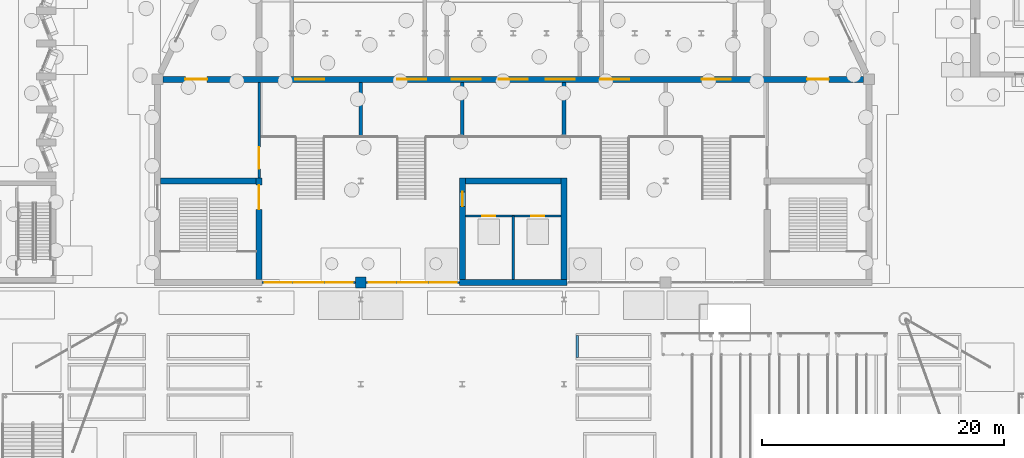
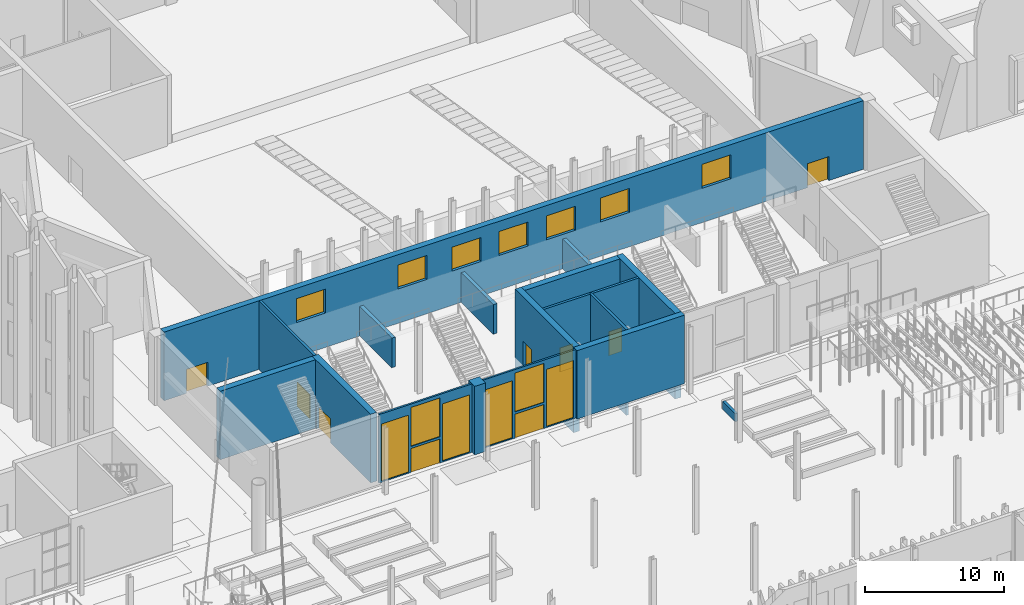
# One storey, part 66 of 108: 17 walls, 16 doors, 6 windows, 22 openings.
"""IFC4 building model written with IfcOpenShell, lengths in metres."""

from ifc_helpers import new_model, si_unit, direction, frame, frame_2d, origin, place, context, subcontext, project, spatial, rectangle, extrude, material, layer, layer_set, type_object, element, fill, save


model = new_model("IFC4")

# Units and contexts
model_context = context("Model", 3, precision=1e-05, world=origin(), true_north=direction((0.0, 1.0)))
body_context = subcontext(model_context, "Body", "Model", "MODEL_VIEW")
ifc_project = project(units=[si_unit("LENGTHUNIT", "METRE"), si_unit("AREAUNIT", "SQUARE_METRE"), si_unit("VOLUMEUNIT", "CUBIC_METRE"), si_unit("PLANEANGLEUNIT", "RADIAN"), si_unit("MASSUNIT", "GRAM", prefix="KILO")], contexts=[model_context])

# Site, building, storey
site_placement = place(None, origin())
site = spatial("IfcSite", under=ifc_project, at=site_placement, CompositionType="ELEMENT")
building_placement = place(site_placement, origin())
building = spatial("IfcBuilding", under=site, at=building_placement, Name="Cresset Court Congress Hotel", CompositionType="ELEMENT")
storey_placement = place(building_placement, origin())
storey = spatial("IfcBuildingStorey", under=building, at=storey_placement, Name="L00", CompositionType="ELEMENT", Elevation=0.0)

# Wall, openings, door, windows
ifc_material_1 = material(Name="Aluminium and glass", Category="aluminium")
ifc_layer_1 = layer(ifc_material_1, 0.14990234375)
ifc_layer_set_1 = layer_set([ifc_layer_1], Name="Entrance screen wall 150")
wall_type_1 = type_object("IfcWallType", Name="Entrance screen wall 150", PredefinedType="SOLIDWALL", material=ifc_layer_set_1)
wall_1_placement = place(storey_placement, frame((67.449951171875, 58.800048828125, 0.0), z_axis=(0.0, 0.0, 1.0), x_axis=(1.0, 0.0, 0.0)))
wall_1 = element("IfcWall", 1, at=wall_1_placement, inside=storey, type_object=wall_type_1, Name="Screen wall CX-001", PredefinedType="SOLIDWALL", context=body_context, shape_type="SweptSolid", body=[
    extrude(rectangle(XDim=7.699951171875, YDim=0.14990234375, at=frame_2d((3.85009765625, 0.0))), origin(), (0.0, 0.0, 1.0), 6.0),
])
opening_1_placement = place(wall_1_placement, frame((2.64990234375, 0.0, 0.0)))
opening_1 = element("IfcOpeningElement", 2, at=opening_1_placement, cuts=wall_1, Name="Opening DC-00-40", PredefinedType="OPENING", context=body_context, shape_type="SweptSolid", body=[
    extrude(rectangle(XDim=2.39990234375, YDim=2.10009765625, at=frame_2d((1.199951171875, 1.050048828125))), frame((0.0, 0.0849609375, 0.0), z_axis=(0.0, -1.0, 0.0), x_axis=(1.0, 0.0, 0.0)), (0.0, 0.0, 1.0), 0.169921875),
])
opening_2_placement = place(wall_1_placement, frame((0.199951171875, 0.0, 0.10009765625)))
opening_2 = element("IfcOpeningElement", 3, at=opening_2_placement, cuts=wall_1, Name="Opening NC-00-11", PredefinedType="OPENING", context=body_context, shape_type="SweptSolid", body=[
    extrude(rectangle(XDim=2.25, YDim=5.0, at=frame_2d((1.125, 2.5))), frame((0.0, 0.0849609375, 0.0), z_axis=(0.0, -1.0, 0.0), x_axis=(1.0, 0.0, 0.0)), (0.0, 0.0, 1.0), 0.169921875),
])
opening_3_placement = place(wall_1_placement, frame((5.25, 0.0, 0.10009765625)))
opening_3 = element("IfcOpeningElement", 4, at=opening_3_placement, cuts=wall_1, Name="Opening NC-00-12", PredefinedType="OPENING", context=body_context, shape_type="SweptSolid", body=[
    extrude(rectangle(XDim=2.25, YDim=5.0, at=frame_2d((1.125, 2.5))), frame((0.0, 0.0849609375, 0.0), z_axis=(0.0, -1.0, 0.0), x_axis=(1.0, 0.0, 0.0)), (0.0, 0.0, 1.0), 0.169921875),
])
opening_4_placement = place(wall_1_placement, frame((2.64990234375, 0.0, 2.300048828125)))
opening_4 = element("IfcOpeningElement", 5, at=opening_4_placement, cuts=wall_1, Name="Opening NC-00-13", PredefinedType="OPENING", context=body_context, shape_type="SweptSolid", body=[
    extrude(rectangle(XDim=2.39990234375, YDim=3.39990234375, at=frame_2d((1.199951171875, 1.699951171875))), frame((0.0, 0.0849609375, 0.0), z_axis=(0.0, -1.0, 0.0), x_axis=(1.0, 0.0, 0.0)), (0.0, 0.0, 1.0), 0.169921875),
])
ifc_material_2 = material(Name="Aluminium and glass", Category="aluminium")
door_type_1 = type_object("IfcDoorType", Name="Double swing door 2400x2100", OperationType="DOUBLE_DOOR_DOUBLE_SWING", PredefinedType="DOOR", material=ifc_material_2)
door_1_placement = place(opening_1_placement, origin())
door_1 = element("IfcDoor", 6, at=door_1_placement, inside=storey, type_object=door_type_1, Name="Entrance door L00 1", OperationType="DOUBLE_DOOR_DOUBLE_SWING", OverallHeight=2.10009765625, OverallWidth=2.39990234375, PredefinedType="DOOR", context=body_context, shape_type="SweptSolid", body=[
    extrude(rectangle(XDim=2.39990234375, YDim=2.10009765625, at=frame_2d((1.199951171875, 1.050048828125))), frame((0.0, 0.02490234375, 0.0), z_axis=(0.0, -1.0, 0.0), x_axis=(1.0, 0.0, 0.0)), (0.0, 0.0, 1.0), 0.050048828125),
])
fill(opening_1, door_1)
ifc_material_3 = material(Name="Aluminium and glass", Category="aluminium")
window_type_1 = type_object("IfcWindowType", Name="Fixed window 2250x5000", PartitioningType="SINGLE_PANEL", PredefinedType="WINDOW", material=ifc_material_3)
window_1_placement = place(opening_2_placement, origin())
window_1 = element("IfcWindow", 7, at=window_1_placement, inside=storey, type_object=window_type_1, Name="Window NC-00-11", OverallHeight=5.0, OverallWidth=2.25, PartitioningType="SINGLE_PANEL", PredefinedType="WINDOW", context=body_context, shape_type="SweptSolid", body=[
    extrude(rectangle(XDim=2.25, YDim=5.0, at=frame_2d((1.125, 2.5))), frame((0.0, 0.030029296875, 0.0), z_axis=(0.0, -1.0, 0.0), x_axis=(1.0, 0.0, 0.0)), (0.0, 0.0, 1.0), 0.06005859375),
])
fill(opening_2, window_1)
window_2_placement = place(opening_3_placement, origin())
window_2 = element("IfcWindow", 8, at=window_2_placement, inside=storey, type_object=window_type_1, Name="Window NC-00-12", OverallHeight=5.0, OverallWidth=2.25, PartitioningType="SINGLE_PANEL", PredefinedType="WINDOW", context=body_context, shape_type="SweptSolid", body=[
    extrude(rectangle(XDim=2.25, YDim=5.0, at=frame_2d((1.125, 2.5))), frame((0.0, 0.030029296875, 0.0), z_axis=(0.0, -1.0, 0.0), x_axis=(1.0, 0.0, 0.0)), (0.0, 0.0, 1.0), 0.06005859375),
])
fill(opening_3, window_2)
ifc_material_4 = material(Name="Aluminium and glass", Category="aluminium")
window_type_2 = type_object("IfcWindowType", Name="Fixed window 2400x3400", PartitioningType="SINGLE_PANEL", PredefinedType="WINDOW", material=ifc_material_4)
window_3_placement = place(opening_4_placement, origin())
window_3 = element("IfcWindow", 9, at=window_3_placement, inside=storey, type_object=window_type_2, Name="Window NC-00-13", OverallHeight=3.39990234375, OverallWidth=2.39990234375, PartitioningType="SINGLE_PANEL", PredefinedType="WINDOW", context=body_context, shape_type="SweptSolid", body=[
    extrude(rectangle(XDim=2.39990234375, YDim=3.39990234375, at=frame_2d((1.199951171875, 1.699951171875))), frame((0.0, 0.030029296875, 0.0), z_axis=(0.0, -1.0, 0.0), x_axis=(1.0, 0.0, 0.0)), (0.0, 0.0, 1.0), 0.06005859375),
])
fill(opening_4, window_3)

wall_2_placement = place(storey_placement, frame((76.050048828125, 58.800048828125, 0.0), z_axis=(0.0, 0.0, 1.0), x_axis=(1.0, 0.0, 0.0)))
wall_2 = element("IfcWall", 10, at=wall_2_placement, inside=storey, type_object=wall_type_1, Name="Screen wall CX-002", PredefinedType="SOLIDWALL", context=body_context, shape_type="SweptSolid", body=[
    extrude(rectangle(XDim=7.699951171875, YDim=0.14990234375, at=frame_2d((3.85009765625, 0.0))), origin(), (0.0, 0.0, 1.0), 6.0),
])
opening_5_placement = place(wall_2_placement, frame((2.64990234375, 0.0, 0.0)))
opening_5 = element("IfcOpeningElement", 11, at=opening_5_placement, cuts=wall_2, Name="Opening DC-00-42", PredefinedType="OPENING", context=body_context, shape_type="SweptSolid", body=[
    extrude(rectangle(XDim=2.39990234375, YDim=2.10009765625, at=frame_2d((1.199951171875, 1.050048828125))), frame((0.0, 0.0849609375, 0.0), z_axis=(0.0, -1.0, 0.0), x_axis=(1.0, 0.0, 0.0)), (0.0, 0.0, 1.0), 0.169921875),
])
opening_6_placement = place(wall_2_placement, frame((0.199951171875, 0.0, 0.10009765625)))
opening_6 = element("IfcOpeningElement", 12, at=opening_6_placement, cuts=wall_2, Name="Opening NC-00-21", PredefinedType="OPENING", context=body_context, shape_type="SweptSolid", body=[
    extrude(rectangle(XDim=2.25, YDim=5.0, at=frame_2d((1.125, 2.5))), frame((0.0, 0.0849609375, 0.0), z_axis=(0.0, -1.0, 0.0), x_axis=(1.0, 0.0, 0.0)), (0.0, 0.0, 1.0), 0.169921875),
])
opening_7_placement = place(wall_2_placement, frame((5.25, 0.0, 0.10009765625)))
opening_7 = element("IfcOpeningElement", 13, at=opening_7_placement, cuts=wall_2, Name="Opening NC-00-22", PredefinedType="OPENING", context=body_context, shape_type="SweptSolid", body=[
    extrude(rectangle(XDim=2.25, YDim=5.0, at=frame_2d((1.125, 2.5))), frame((0.0, 0.0849609375, 0.0), z_axis=(0.0, -1.0, 0.0), x_axis=(1.0, 0.0, 0.0)), (0.0, 0.0, 1.0), 0.169921875),
])
opening_8_placement = place(wall_2_placement, frame((2.64990234375, 0.0, 2.300048828125)))
opening_8 = element("IfcOpeningElement", 14, at=opening_8_placement, cuts=wall_2, Name="Opening NC-00-23", PredefinedType="OPENING", context=body_context, shape_type="SweptSolid", body=[
    extrude(rectangle(XDim=2.39990234375, YDim=3.39990234375, at=frame_2d((1.199951171875, 1.699951171875))), frame((0.0, 0.0849609375, 0.0), z_axis=(0.0, -1.0, 0.0), x_axis=(1.0, 0.0, 0.0)), (0.0, 0.0, 1.0), 0.169921875),
])
door_2_placement = place(opening_5_placement, origin())
door_2 = element("IfcDoor", 15, at=door_2_placement, inside=storey, type_object=door_type_1, Name="Entrance door L00 2", OperationType="DOUBLE_DOOR_DOUBLE_SWING", OverallHeight=2.10009765625, OverallWidth=2.39990234375, PredefinedType="DOOR", context=body_context, shape_type="SweptSolid", body=[
    extrude(rectangle(XDim=2.39990234375, YDim=2.10009765625, at=frame_2d((1.199951171875, 1.050048828125))), frame((0.0, 0.02490234375, 0.0), z_axis=(0.0, -1.0, 0.0), x_axis=(1.0, 0.0, 0.0)), (0.0, 0.0, 1.0), 0.050048828125),
])
fill(opening_5, door_2)
window_4_placement = place(opening_6_placement, origin())
window_4 = element("IfcWindow", 16, at=window_4_placement, inside=storey, type_object=window_type_1, Name="Window NC-00-21", OverallHeight=5.0, OverallWidth=2.25, PartitioningType="SINGLE_PANEL", PredefinedType="WINDOW", context=body_context, shape_type="SweptSolid", body=[
    extrude(rectangle(XDim=2.25, YDim=5.0, at=frame_2d((1.125, 2.5))), frame((0.0, 0.030029296875, 0.0), z_axis=(0.0, -1.0, 0.0), x_axis=(1.0, 0.0, 0.0)), (0.0, 0.0, 1.0), 0.06005859375),
])
fill(opening_6, window_4)
window_5_placement = place(opening_7_placement, origin())
window_5 = element("IfcWindow", 17, at=window_5_placement, inside=storey, type_object=window_type_1, Name="Window NC-00-22", OverallHeight=5.0, OverallWidth=2.25, PartitioningType="SINGLE_PANEL", PredefinedType="WINDOW", context=body_context, shape_type="SweptSolid", body=[
    extrude(rectangle(XDim=2.25, YDim=5.0, at=frame_2d((1.125, 2.5))), frame((0.0, 0.030029296875, 0.0), z_axis=(0.0, -1.0, 0.0), x_axis=(1.0, 0.0, 0.0)), (0.0, 0.0, 1.0), 0.06005859375),
])
fill(opening_7, window_5)
window_6_placement = place(opening_8_placement, origin())
window_6 = element("IfcWindow", 18, at=window_6_placement, inside=storey, type_object=window_type_2, Name="Window NC-00-23", OverallHeight=3.39990234375, OverallWidth=2.39990234375, PartitioningType="SINGLE_PANEL", PredefinedType="WINDOW", context=body_context, shape_type="SweptSolid", body=[
    extrude(rectangle(XDim=2.39990234375, YDim=3.39990234375, at=frame_2d((1.199951171875, 1.699951171875))), frame((0.0, 0.030029296875, 0.0), z_axis=(0.0, -1.0, 0.0), x_axis=(1.0, 0.0, 0.0)), (0.0, 0.0, 1.0), 0.06005859375),
])
fill(opening_8, window_6)

# Wall, openings, doors
ifc_material_5 = material(Name="Concrete C50", Category="concrete")
ifc_layer_2 = layer(ifc_material_5, 0.5)
ifc_layer_set_2 = layer_set([ifc_layer_2], Name="Hall inner wall 500")
wall_type_2 = type_object("IfcWallType", Name="Hall inner wall 500", PredefinedType="SOLIDWALL", material=ifc_layer_set_2)
wall_3_placement = place(storey_placement, frame((59.25, 75.60009765625, 0.0), z_axis=(0.0, 0.0, 1.0), x_axis=(1.0, 0.0, 0.0)))
wall_3 = element("IfcWall", 19, at=wall_3_placement, inside=storey, type_object=wall_type_2, Name="Wall CI-RL00", PredefinedType="SOLIDWALL", context=body_context, shape_type="SweptSolid", body=[
    extrude(rectangle(XDim=57.89990234375, YDim=0.5, at=frame_2d((28.949951171875, 0.0))), origin(), (0.0, 0.0, 1.0), 6.0),
])
opening_9_placement = place(wall_3_placement, frame((1.85009765625, 0.0, 0.0)))
opening_9 = element("IfcOpeningElement", 20, at=opening_9_placement, cuts=wall_3, Name="Opening DC-00-16", PredefinedType="OPENING", context=body_context, shape_type="SweptSolid", body=[
    extrude(rectangle(XDim=1.800048828125, YDim=2.10009765625, at=frame_2d((0.89990234375, 1.050048828125))), frame((0.0, 0.260009765625, 0.0), z_axis=(0.0, -1.0, 0.0), x_axis=(1.0, 0.0, 0.0)), (0.0, 0.0, 1.0), 0.52001953125),
])
opening_10_placement = place(wall_3_placement, frame((53.25, 0.0, 0.0)))
opening_10 = element("IfcOpeningElement", 21, at=opening_10_placement, cuts=wall_3, Name="Opening DC-00-17", PredefinedType="OPENING", context=body_context, shape_type="SweptSolid", body=[
    extrude(rectangle(XDim=1.800048828125, YDim=2.10009765625, at=frame_2d((0.89990234375, 1.050048828125))), frame((0.0, 0.260009765625, 0.0), z_axis=(0.0, -1.0, 0.0), x_axis=(1.0, 0.0, 0.0)), (0.0, 0.0, 1.0), 0.52001953125),
])
opening_11_placement = place(wall_3_placement, frame((10.949951171875, 0.0, 3.0)))
opening_11 = element("IfcOpeningElement", 22, at=opening_11_placement, cuts=wall_3, Name="Opening DC-00-20", PredefinedType="OPENING", context=body_context, shape_type="SweptSolid", body=[
    extrude(rectangle(XDim=2.39990234375, YDim=2.10009765625, at=frame_2d((1.199951171875, 1.050048828125))), frame((0.0, 0.260009765625, 0.0), z_axis=(0.0, -1.0, 0.0), x_axis=(1.0, 0.0, 0.0)), (0.0, 0.0, 1.0), 0.52001953125),
])
opening_12_placement = place(wall_3_placement, frame((19.35009765625, 0.0, 3.0)))
opening_12 = element("IfcOpeningElement", 23, at=opening_12_placement, cuts=wall_3, Name="Opening DC-00-21", PredefinedType="OPENING", context=body_context, shape_type="SweptSolid", body=[
    extrude(rectangle(XDim=2.39990234375, YDim=2.10009765625, at=frame_2d((1.199951171875, 1.050048828125))), frame((0.0, 0.260009765625, 0.0), z_axis=(0.0, -1.0, 0.0), x_axis=(1.0, 0.0, 0.0)), (0.0, 0.0, 1.0), 0.52001953125),
])
opening_13_placement = place(wall_3_placement, frame((36.14990234375, 0.0, 3.0)))
opening_13 = element("IfcOpeningElement", 24, at=opening_13_placement, cuts=wall_3, Name="Opening DC-00-22", PredefinedType="OPENING", context=body_context, shape_type="SweptSolid", body=[
    extrude(rectangle(XDim=2.39990234375, YDim=2.10009765625, at=frame_2d((1.199951171875, 1.050048828125))), frame((0.0, 0.260009765625, 0.0), z_axis=(0.0, -1.0, 0.0), x_axis=(1.0, 0.0, 0.0)), (0.0, 0.0, 1.0), 0.52001953125),
])
opening_14_placement = place(wall_3_placement, frame((44.550048828125, 0.0, 3.0)))
opening_14 = element("IfcOpeningElement", 25, at=opening_14_placement, cuts=wall_3, Name="Opening DC-00-23", PredefinedType="OPENING", context=body_context, shape_type="SweptSolid", body=[
    extrude(rectangle(XDim=2.39990234375, YDim=2.10009765625, at=frame_2d((1.199951171875, 1.050048828125))), frame((0.0, 0.260009765625, 0.0), z_axis=(0.0, -1.0, 0.0), x_axis=(1.0, 0.0, 0.0)), (0.0, 0.0, 1.0), 0.52001953125),
])
opening_15_placement = place(wall_3_placement, frame((27.75, 0.0, 3.0)))
opening_15 = element("IfcOpeningElement", 26, at=opening_15_placement, cuts=wall_3, Name="Opening DC-00-50", PredefinedType="OPENING", context=body_context, shape_type="SweptSolid", body=[
    extrude(rectangle(XDim=2.39990234375, YDim=2.10009765625, at=frame_2d((1.199951171875, 1.050048828125))), frame((0.0, 0.260009765625, 0.0), z_axis=(0.0, -1.0, 0.0), x_axis=(1.0, 0.0, 0.0)), (0.0, 0.0, 1.0), 0.52001953125),
])
opening_16_placement = place(wall_3_placement, frame((23.85009765625, 0.0, 3.0)))
opening_16 = element("IfcOpeningElement", 27, at=opening_16_placement, cuts=wall_3, Name="Opening DC-00-51", PredefinedType="OPENING", context=body_context, shape_type="SweptSolid", body=[
    extrude(rectangle(XDim=2.39990234375, YDim=2.10009765625, at=frame_2d((1.199951171875, 1.050048828125))), frame((0.0, 0.260009765625, 0.0), z_axis=(0.0, -1.0, 0.0), x_axis=(1.0, 0.0, 0.0)), (0.0, 0.0, 1.0), 0.52001953125),
])
opening_17_placement = place(wall_3_placement, frame((31.64990234375, 0.0, 3.0)))
opening_17 = element("IfcOpeningElement", 28, at=opening_17_placement, cuts=wall_3, Name="Opening DC-00-52", PredefinedType="OPENING", context=body_context, shape_type="SweptSolid", body=[
    extrude(rectangle(XDim=2.39990234375, YDim=2.10009765625, at=frame_2d((1.199951171875, 1.050048828125))), frame((0.0, 0.260009765625, 0.0), z_axis=(0.0, -1.0, 0.0), x_axis=(1.0, 0.0, 0.0)), (0.0, 0.0, 1.0), 0.52001953125),
])
ifc_material_6 = material(Name="Timber", Category="wood")
door_type_2 = type_object("IfcDoorType", Name="Double swing door 1800x2100", OperationType="DOUBLE_DOOR_DOUBLE_SWING", PredefinedType="DOOR", material=ifc_material_6)
door_3_placement = place(opening_9_placement, origin())
door_3 = element("IfcDoor", 29, at=door_3_placement, inside=storey, type_object=door_type_2, Name="Side passage door W", OperationType="DOUBLE_DOOR_DOUBLE_SWING", OverallHeight=2.10009765625, OverallWidth=1.800048828125, PredefinedType="DOOR", context=body_context, shape_type="SweptSolid", body=[
    extrude(rectangle(XDim=1.800048828125, YDim=2.10009765625, at=frame_2d((0.89990234375, 1.050048828125))), frame((0.0, 0.02490234375, 0.0), z_axis=(0.0, -1.0, 0.0), x_axis=(1.0, 0.0, 0.0)), (0.0, 0.0, 1.0), 0.050048828125),
])
fill(opening_9, door_3)
door_4_placement = place(opening_10_placement, origin())
door_4 = element("IfcDoor", 30, at=door_4_placement, inside=storey, type_object=door_type_2, Name="Side passage door E", OperationType="DOUBLE_DOOR_DOUBLE_SWING", OverallHeight=2.10009765625, OverallWidth=1.800048828125, PredefinedType="DOOR", context=body_context, shape_type="SweptSolid", body=[
    extrude(rectangle(XDim=1.800048828125, YDim=2.10009765625, at=frame_2d((0.89990234375, 1.050048828125))), frame((0.0, 0.02490234375, 0.0), z_axis=(0.0, -1.0, 0.0), x_axis=(1.0, 0.0, 0.0)), (0.0, 0.0, 1.0), 0.050048828125),
])
fill(opening_10, door_4)
ifc_material_7 = material(Name="Timber", Category="wood")
door_type_3 = type_object("IfcDoorType", Name="Double swing door 2400x2100 FD30", OperationType="DOUBLE_DOOR_DOUBLE_SWING", PredefinedType="DOOR", material=ifc_material_7)
door_5_placement = place(opening_11_placement, origin())
door_5 = element("IfcDoor", 31, at=door_5_placement, inside=storey, type_object=door_type_3, Name="Vomitory door VS-1", OperationType="DOUBLE_DOOR_DOUBLE_SWING", OverallHeight=2.10009765625, OverallWidth=2.39990234375, PredefinedType="DOOR", context=body_context, shape_type="SweptSolid", body=[
    extrude(rectangle(XDim=2.39990234375, YDim=2.10009765625, at=frame_2d((1.199951171875, 1.050048828125))), frame((0.0, 0.02490234375, 0.0), z_axis=(0.0, -1.0, 0.0), x_axis=(1.0, 0.0, 0.0)), (0.0, 0.0, 1.0), 0.050048828125),
])
fill(opening_11, door_5)
door_6_placement = place(opening_12_placement, origin())
door_6 = element("IfcDoor", 32, at=door_6_placement, inside=storey, type_object=door_type_3, Name="Vomitory door VS-2", OperationType="DOUBLE_DOOR_DOUBLE_SWING", OverallHeight=2.10009765625, OverallWidth=2.39990234375, PredefinedType="DOOR", context=body_context, shape_type="SweptSolid", body=[
    extrude(rectangle(XDim=2.39990234375, YDim=2.10009765625, at=frame_2d((1.199951171875, 1.050048828125))), frame((0.0, 0.02490234375, 0.0), z_axis=(0.0, -1.0, 0.0), x_axis=(1.0, 0.0, 0.0)), (0.0, 0.0, 1.0), 0.050048828125),
])
fill(opening_12, door_6)
door_7_placement = place(opening_13_placement, origin())
door_7 = element("IfcDoor", 33, at=door_7_placement, inside=storey, type_object=door_type_3, Name="Vomitory door VS-3", OperationType="DOUBLE_DOOR_DOUBLE_SWING", OverallHeight=2.10009765625, OverallWidth=2.39990234375, PredefinedType="DOOR", context=body_context, shape_type="SweptSolid", body=[
    extrude(rectangle(XDim=2.39990234375, YDim=2.10009765625, at=frame_2d((1.199951171875, 1.050048828125))), frame((0.0, 0.02490234375, 0.0), z_axis=(0.0, -1.0, 0.0), x_axis=(1.0, 0.0, 0.0)), (0.0, 0.0, 1.0), 0.050048828125),
])
fill(opening_13, door_7)
door_8_placement = place(opening_14_placement, origin())
door_8 = element("IfcDoor", 34, at=door_8_placement, inside=storey, type_object=door_type_3, Name="Vomitory door VS-4", OperationType="DOUBLE_DOOR_DOUBLE_SWING", OverallHeight=2.10009765625, OverallWidth=2.39990234375, PredefinedType="DOOR", context=body_context, shape_type="SweptSolid", body=[
    extrude(rectangle(XDim=2.39990234375, YDim=2.10009765625, at=frame_2d((1.199951171875, 1.050048828125))), frame((0.0, 0.02490234375, 0.0), z_axis=(0.0, -1.0, 0.0), x_axis=(1.0, 0.0, 0.0)), (0.0, 0.0, 1.0), 0.050048828125),
])
fill(opening_14, door_8)
door_9_placement = place(opening_15_placement, origin())
door_9 = element("IfcDoor", 35, at=door_9_placement, inside=storey, type_object=door_type_3, Name="Vomitory door VS-5", OperationType="DOUBLE_DOOR_DOUBLE_SWING", OverallHeight=2.10009765625, OverallWidth=2.39990234375, PredefinedType="DOOR", context=body_context, shape_type="SweptSolid", body=[
    extrude(rectangle(XDim=2.39990234375, YDim=2.10009765625, at=frame_2d((1.199951171875, 1.050048828125))), frame((0.0, 0.02490234375, 0.0), z_axis=(0.0, -1.0, 0.0), x_axis=(1.0, 0.0, 0.0)), (0.0, 0.0, 1.0), 0.050048828125),
])
fill(opening_15, door_9)
door_10_placement = place(opening_16_placement, origin())
door_10 = element("IfcDoor", 36, at=door_10_placement, inside=storey, type_object=door_type_3, Name="Vomitory door VS-6", OperationType="DOUBLE_DOOR_DOUBLE_SWING", OverallHeight=2.10009765625, OverallWidth=2.39990234375, PredefinedType="DOOR", context=body_context, shape_type="SweptSolid", body=[
    extrude(rectangle(XDim=2.39990234375, YDim=2.10009765625, at=frame_2d((1.199951171875, 1.050048828125))), frame((0.0, 0.02490234375, 0.0), z_axis=(0.0, -1.0, 0.0), x_axis=(1.0, 0.0, 0.0)), (0.0, 0.0, 1.0), 0.050048828125),
])
fill(opening_16, door_10)
door_11_placement = place(opening_17_placement, origin())
door_11 = element("IfcDoor", 37, at=door_11_placement, inside=storey, type_object=door_type_3, Name="Vomitory door VS-7", OperationType="DOUBLE_DOOR_DOUBLE_SWING", OverallHeight=2.10009765625, OverallWidth=2.39990234375, PredefinedType="DOOR", context=body_context, shape_type="SweptSolid", body=[
    extrude(rectangle(XDim=2.39990234375, YDim=2.10009765625, at=frame_2d((1.199951171875, 1.050048828125))), frame((0.0, 0.02490234375, 0.0), z_axis=(0.0, -1.0, 0.0), x_axis=(1.0, 0.0, 0.0)), (0.0, 0.0, 1.0), 0.050048828125),
])
fill(opening_17, door_11)

# Wall, opening, door
wall_4_placement = place(storey_placement, frame((67.199951171875, 59.050048828125, 0.0), z_axis=(0.0, 0.0, 1.0), x_axis=(0.0, 1.0, 0.0)))
wall_4 = element("IfcWall", 38, at=wall_4_placement, inside=storey, type_object=wall_type_2, Name="Wall CC-C1EL00", PredefinedType="SOLIDWALL", context=body_context, shape_type="SweptSolid", body=[
    extrude(rectangle(XDim=8.39990234375, YDim=0.5, at=frame_2d((4.199951171875, 0.0))), origin(), (0.0, 0.0, 1.0), 6.0),
])
opening_18_placement = place(wall_4_placement, frame((5.800048828125, 0.0, 0.0)))
opening_18 = element("IfcOpeningElement", 39, at=opening_18_placement, cuts=wall_4, Name="Opening DC-00-01", PredefinedType="OPENING", context=body_context, shape_type="SweptSolid", body=[
    extrude(rectangle(XDim=2.0, YDim=2.10009765625, at=frame_2d((1.0, 1.050048828125))), frame((0.0, 0.260009765625, 0.0), z_axis=(0.0, -1.0, 0.0), x_axis=(1.0, 0.0, 0.0)), (0.0, 0.0, 1.0), 0.52001953125),
])
ifc_material_8 = material(Name="Timber", Category="wood")
door_type_4 = type_object("IfcDoorType", Name="Double swing door 2000x2100 FD60", OperationType="DOUBLE_DOOR_DOUBLE_SWING", PredefinedType="DOOR", material=ifc_material_8)
door_12_placement = place(opening_18_placement, origin())
door_12 = element("IfcDoor", 40, at=door_12_placement, inside=storey, type_object=door_type_4, Name="Stair door ST-C1 L00", OperationType="DOUBLE_DOOR_DOUBLE_SWING", OverallHeight=2.10009765625, OverallWidth=2.0, PredefinedType="DOOR", context=body_context, shape_type="SweptSolid", body=[
    extrude(rectangle(XDim=2.0, YDim=2.10009765625, at=frame_2d((1.0, 1.050048828125))), frame((0.0, 0.02490234375, 0.0), z_axis=(0.0, -1.0, 0.0), x_axis=(1.0, 0.0, 0.0)), (0.0, 0.0, 1.0), 0.050048828125),
])
fill(opening_18, door_12)

# Walls
wall_5_placement = place(storey_placement, frame((59.050048828125, 67.199951171875, 0.0), z_axis=(0.0, 0.0, 1.0), x_axis=(1.0, 0.0, 0.0)))
element("IfcWall", 41, at=wall_5_placement, inside=storey, type_object=wall_type_2, Name="Wall CC-C1NL00", PredefinedType="SOLIDWALL", context=body_context, shape_type="SweptSolid", body=[
    extrude(rectangle(XDim=7.89990234375, YDim=0.5, at=frame_2d((3.949951171875, 0.0))), origin(), (0.0, 0.0, 1.0), 6.0),
])
wall_6_placement = place(storey_placement, frame((92.39990234375, 59.050048828125, -1.5), z_axis=(0.0, 0.0, 1.0), x_axis=(0.0, 1.0, 0.0)))
element("IfcWall", 42, at=wall_6_placement, inside=storey, type_object=wall_type_2, Name="Wall CC-C1EL00", PredefinedType="SOLIDWALL", context=body_context, shape_type="SweptSolid", body=[
    extrude(rectangle(XDim=8.39990234375, YDim=0.5, at=frame_2d((4.199951171875, 0.0))), origin(), (0.0, 0.0, 1.0), 7.5),
])

# Wall, opening, door
wall_7_placement = place(storey_placement, frame((84.0, 59.050048828125, -1.5), z_axis=(0.0, 0.0, 1.0), x_axis=(0.0, 1.0, 0.0)))
wall_7 = element("IfcWall", 43, at=wall_7_placement, inside=storey, type_object=wall_type_2, Name="Wall CC-C1WL00", PredefinedType="SOLIDWALL", context=body_context, shape_type="SweptSolid", body=[
    extrude(rectangle(XDim=8.39990234375, YDim=0.5, at=frame_2d((4.199951171875, 0.0))), origin(), (0.0, 0.0, 1.0), 7.5),
])
opening_19_placement = place(wall_7_placement, frame((6.050048828125, 0.0, 1.5)))
opening_19 = element("IfcOpeningElement", 44, at=opening_19_placement, cuts=wall_7, Name="Opening DC-00-05", PredefinedType="OPENING", context=body_context, shape_type="SweptSolid", body=[
    extrude(rectangle(XDim=1.199951171875, YDim=2.10009765625, at=frame_2d((0.60009765625, 1.050048828125))), frame((0.0, 0.260009765625, 0.0), z_axis=(0.0, -1.0, 0.0), x_axis=(1.0, 0.0, 0.0)), (0.0, 0.0, 1.0), 0.52001953125),
])
ifc_material_9 = material(Name="Timber", Category="wood")
door_type_5 = type_object("IfcDoorType", Name="Single swing door 1200x2100 FD60", OperationType="SINGLE_SWING_LEFT", PredefinedType="DOOR", material=ifc_material_9)
door_13_placement = place(opening_19_placement, origin())
door_13 = element("IfcDoor", 45, at=door_13_placement, inside=storey, type_object=door_type_5, Name="Lift lobby door L00", OperationType="SINGLE_SWING_LEFT", OverallHeight=2.10009765625, OverallWidth=1.199951171875, PredefinedType="DOOR", context=body_context, shape_type="SweptSolid", body=[
    extrude(rectangle(XDim=1.199951171875, YDim=2.10009765625, at=frame_2d((0.60009765625, 1.050048828125))), frame((0.0, 0.02490234375, 0.0), z_axis=(0.0, -1.0, 0.0), x_axis=(1.0, 0.0, 0.0)), (0.0, 0.0, 1.0), 0.050048828125),
])
fill(opening_19, door_13)

# Walls
wall_8_placement = place(storey_placement, frame((84.25, 67.199951171875, -1.5), z_axis=(0.0, 0.0, 1.0), x_axis=(1.0, 0.0, 0.0)))
element("IfcWall", 46, at=wall_8_placement, inside=storey, type_object=wall_type_2, Name="Wall CC-C1NL00", PredefinedType="SOLIDWALL", context=body_context, shape_type="SweptSolid", body=[
    extrude(rectangle(XDim=7.89990234375, YDim=0.5, at=frame_2d((3.949951171875, 0.0))), origin(), (0.0, 0.0, 1.0), 7.5),
])
ifc_material_10 = material(Name="Limestone-faced precast concrete C50", Category="masonry")
ifc_layer_3 = layer(ifc_material_10, 0.5)
ifc_layer_set_3 = layer_set([ifc_layer_3], Name="Hall perimeter wall 500")
wall_type_3 = type_object("IfcWallType", Name="Hall perimeter wall 500", PredefinedType="SOLIDWALL", material=ifc_layer_set_3)
wall_9_placement = place(storey_placement, frame((92.64990234375, 58.800048828125, 0.0), z_axis=(0.0, 0.0, 1.0), x_axis=(-1.0, 0.0, 0.0)))
element("IfcWall", 47, at=wall_9_placement, inside=storey, type_object=wall_type_3, Name="Wall CW-SL00-2", PredefinedType="SOLIDWALL", context=body_context, shape_type="SweptSolid", body=[
    extrude(rectangle(XDim=8.89990234375, YDim=0.5, at=frame_2d((4.449951171875, 0.0))), origin(), (0.0, 0.0, 1.0), 6.0),
])
ifc_material_11 = material(Name="Concrete C50", Category="concrete")
ifc_layer_4 = layer(ifc_material_11, 0.89990234375)
ifc_layer_set_4 = layer_set([ifc_layer_4], Name="Hall pilaster 900x900")
wall_type_4 = type_object("IfcWallType", Name="Hall pilaster 900x900", PredefinedType="SOLIDWALL", material=ifc_layer_set_4)
wall_10_placement = place(storey_placement, frame((75.14990234375, 58.800048828125, 0.0), z_axis=(0.0, 0.0, 1.0), x_axis=(1.0, 0.0, 0.0)))
element("IfcWall", 48, at=wall_10_placement, inside=storey, type_object=wall_type_4, Name="Pilaster P-S1", PredefinedType="SOLIDWALL", context=body_context, shape_type="SweptSolid", body=[
    extrude(rectangle(XDim=0.900146484375, YDim=0.89990234375, at=frame_2d((0.4501953125, 0.0))), origin(), (0.0, 0.0, 1.0), 6.0),
])
ifc_material_12 = material(Name="Concrete C35", Category="concrete")
ifc_layer_5 = layer(ifc_material_12, 0.199951171875)
ifc_layer_set_5 = layer_set([ifc_layer_5], Name="Lift shaft partition 200")
wall_type_5 = type_object("IfcWallType", Name="Lift shaft partition 200", PredefinedType="PARTITIONING", material=ifc_layer_set_5)
wall_11_placement = place(storey_placement, frame((88.199951171875, 59.050048828125, -1.5), z_axis=(0.0, 0.0, 1.0), x_axis=(0.0, 1.0, 0.0)))
element("IfcWall", 49, at=wall_11_placement, inside=storey, type_object=wall_type_5, Name="Wall CL-DL00", PredefinedType="PARTITIONING", context=body_context, shape_type="SweptSolid", body=[
    extrude(rectangle(XDim=5.25, YDim=0.199951171875, at=frame_2d((2.625, 0.0))), origin(), (0.0, 0.0, 1.0), 7.5),
])

# Wall, openings, doors
wall_12_placement = place(storey_placement, frame((84.25, 64.300048828125, -1.5), z_axis=(0.0, 0.0, 1.0), x_axis=(1.0, 0.0, 0.0)))
wall_12 = element("IfcWall", 50, at=wall_12_placement, inside=storey, type_object=wall_type_5, Name="Wall CL-LL00", PredefinedType="PARTITIONING", context=body_context, shape_type="SweptSolid", body=[
    extrude(rectangle(XDim=7.89990234375, YDim=0.199951171875, at=frame_2d((3.949951171875, 0.0))), origin(), (0.0, 0.0, 1.0), 7.5),
])
opening_20_placement = place(wall_12_placement, frame((1.375, 0.0, 1.5)))
opening_20 = element("IfcOpeningElement", 51, at=opening_20_placement, cuts=wall_12, Name="Opening LD-C1-01", PredefinedType="OPENING", context=body_context, shape_type="SweptSolid", body=[
    extrude(rectangle(XDim=1.10009765625, YDim=2.10009765625, at=frame_2d((0.550048828125, 1.050048828125))), frame((0.0, 0.10986328125, 0.0), z_axis=(0.0, -1.0, 0.0), x_axis=(1.0, 0.0, 0.0)), (0.0, 0.0, 1.0), 0.219970703125),
])
opening_21_placement = place(wall_12_placement, frame((5.425048828125, 0.0, 1.5)))
opening_21 = element("IfcOpeningElement", 52, at=opening_21_placement, cuts=wall_12, Name="Opening LD-C2-01", PredefinedType="OPENING", context=body_context, shape_type="SweptSolid", body=[
    extrude(rectangle(XDim=1.10009765625, YDim=2.10009765625, at=frame_2d((0.550048828125, 1.050048828125))), frame((0.0, 0.10986328125, 0.0), z_axis=(0.0, -1.0, 0.0), x_axis=(1.0, 0.0, 0.0)), (0.0, 0.0, 1.0), 0.219970703125),
])
ifc_material_13 = material(Name="Stainless steel", Category="steel")
door_type_6 = type_object("IfcDoorType", Name="Single sliding landing door 1100x2100 E 60", OperationType="SLIDING_TO_LEFT", PredefinedType="DOOR", material=ifc_material_13)
door_14_placement = place(opening_20_placement, origin())
door_14 = element("IfcDoor", 53, at=door_14_placement, inside=storey, type_object=door_type_6, Name="Landing door LD-C1 L00", OperationType="SLIDING_TO_LEFT", OverallHeight=2.10009765625, OverallWidth=1.10009765625, PredefinedType="DOOR", context=body_context, shape_type="SweptSolid", body=[
    extrude(rectangle(XDim=1.10009765625, YDim=2.10009765625, at=frame_2d((0.550048828125, 1.050048828125))), frame((0.0, 0.02490234375, 0.0), z_axis=(0.0, -1.0, 0.0), x_axis=(1.0, 0.0, 0.0)), (0.0, 0.0, 1.0), 0.050048828125),
])
fill(opening_20, door_14)
door_15_placement = place(opening_21_placement, origin())
door_15 = element("IfcDoor", 54, at=door_15_placement, inside=storey, type_object=door_type_6, Name="Landing door LD-C2 L00", OperationType="SLIDING_TO_LEFT", OverallHeight=2.10009765625, OverallWidth=1.10009765625, PredefinedType="DOOR", context=body_context, shape_type="SweptSolid", body=[
    extrude(rectangle(XDim=1.10009765625, YDim=2.10009765625, at=frame_2d((0.550048828125, 1.050048828125))), frame((0.0, 0.02490234375, 0.0), z_axis=(0.0, -1.0, 0.0), x_axis=(1.0, 0.0, 0.0)), (0.0, 0.0, 1.0), 0.050048828125),
])
fill(opening_21, door_15)

# Wall, opening, door
ifc_material_14 = material(Name="Concrete C35", Category="concrete")
ifc_layer_6 = layer(ifc_material_14, 0.199951171875)
ifc_layer_set_6 = layer_set([ifc_layer_6], Name="Plant room wall 200 load-bearing")
wall_type_6 = type_object("IfcWallType", Name="Plant room wall 200 load-bearing", PredefinedType="PARTITIONING", material=ifc_layer_set_6)
wall_13_placement = place(storey_placement, frame((67.199951171875, 67.449951171875, 0.0), z_axis=(0.0, 0.0, 1.0), x_axis=(0.0, 1.0, 0.0)))
wall_13 = element("IfcWall", 55, at=wall_13_placement, inside=storey, type_object=wall_type_6, Name="Wall CP-reg.L00", PredefinedType="PARTITIONING", context=body_context, shape_type="SweptSolid", body=[
    extrude(rectangle(XDim=7.900146484375, YDim=0.199951171875, at=frame_2d((3.9501953125, 0.0))), origin(), (0.0, 0.0, 1.0), 6.0),
])
opening_22_placement = place(wall_13_placement, frame((0.75, 0.0, 0.0)))
opening_22 = element("IfcOpeningElement", 56, at=opening_22_placement, cuts=wall_13, Name="Opening DC-00-14", PredefinedType="OPENING", context=body_context, shape_type="SweptSolid", body=[
    extrude(rectangle(XDim=1.800048828125, YDim=2.10009765625, at=frame_2d((0.89990234375, 1.050048828125))), frame((0.0, 0.10986328125, 0.0), z_axis=(0.0, -1.0, 0.0), x_axis=(1.0, 0.0, 0.0)), (0.0, 0.0, 1.0), 0.219970703125),
])
door_16_placement = place(opening_22_placement, origin())
door_16 = element("IfcDoor", 57, at=door_16_placement, inside=storey, type_object=door_type_2, Name="Registration door", OperationType="DOUBLE_DOOR_DOUBLE_SWING", OverallHeight=2.10009765625, OverallWidth=1.800048828125, PredefinedType="DOOR", context=body_context, shape_type="SweptSolid", body=[
    extrude(rectangle(XDim=1.800048828125, YDim=2.10009765625, at=frame_2d((0.89990234375, 1.050048828125))), frame((0.0, 0.02490234375, 0.0), z_axis=(0.0, -1.0, 0.0), x_axis=(1.0, 0.0, 0.0)), (0.0, 0.0, 1.0), 0.050048828125),
])
fill(opening_22, door_16)

# Walls
ifc_material_15 = material(Name="Concrete C35", Category="concrete")
ifc_layer_7 = layer(ifc_material_15, 0.199951171875)
ifc_layer_set_7 = layer_set([ifc_layer_7], Name="Planter wall 200")
wall_type_7 = type_object("IfcWallType", Name="Planter wall 200", PredefinedType="SOLIDWALL", material=ifc_layer_set_7)
wall_14_placement = place(storey_placement, frame((93.5, 52.60009765625, 0.0), z_axis=(0.0, 0.0, 1.0), x_axis=(0.0, 1.0, 0.0)))
element("IfcWall", 58, at=wall_14_placement, inside=storey, type_object=wall_type_7, Name="Terrace planter wall 09", PredefinedType="SOLIDWALL", context=body_context, shape_type="SweptSolid", body=[
    extrude(rectangle(XDim=1.7998046875, YDim=0.199951171875, at=frame_2d((0.89990234375, 0.0))), origin(), (0.0, 0.0, 1.0), 0.699951171875),
])
ifc_material_16 = material(Name="Concrete C50", Category="concrete")
ifc_layer_8 = layer(ifc_material_16, 0.300048828125)
ifc_layer_set_8 = layer_set([ifc_layer_8], Name="Raked stall wall 300")
wall_type_8 = type_object("IfcWallType", Name="Raked stall wall 300", PredefinedType="SOLIDWALL", material=ifc_layer_set_8)
for number, where, z_axis, x_axis, name in (
    (59, (75.60009765625, 70.75, 0.0), (0.0, 0.0, 1.0), (0.0, 1.0, 0.0), "Wall CP-1"),
    (60, (84.0, 70.75, 0.0), (0.0, 0.0, 1.0), (0.0, 1.0, 0.0), "Wall CP-2"),
    (61, (92.39990234375, 70.75, 0.0), (0.0, 0.0, 1.0), (0.0, 1.0, 0.0), "Wall CP-3"),
):
    element("IfcWall", number, at=place(storey_placement, frame(where, z_axis=z_axis, x_axis=x_axis)), inside=storey, type_object=wall_type_8, Name=name, PredefinedType="SOLIDWALL", context=body_context, shape_type="SweptSolid", body=[
        extrude(rectangle(XDim=4.60009765625, YDim=0.300048828125, at=frame_2d((2.300048828125, 0.0))), origin(), (0.0, 0.0, 1.0), 2.60009765625),
    ])

save(model, "model.ifc")
